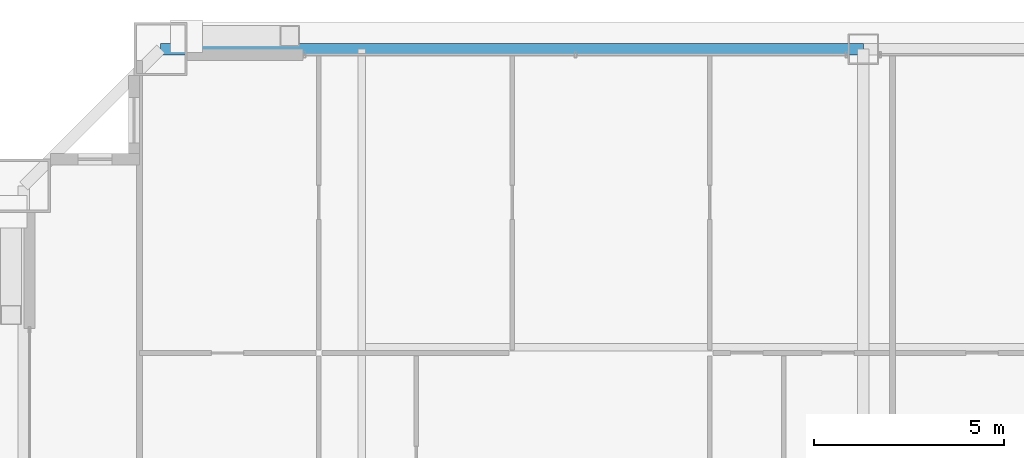
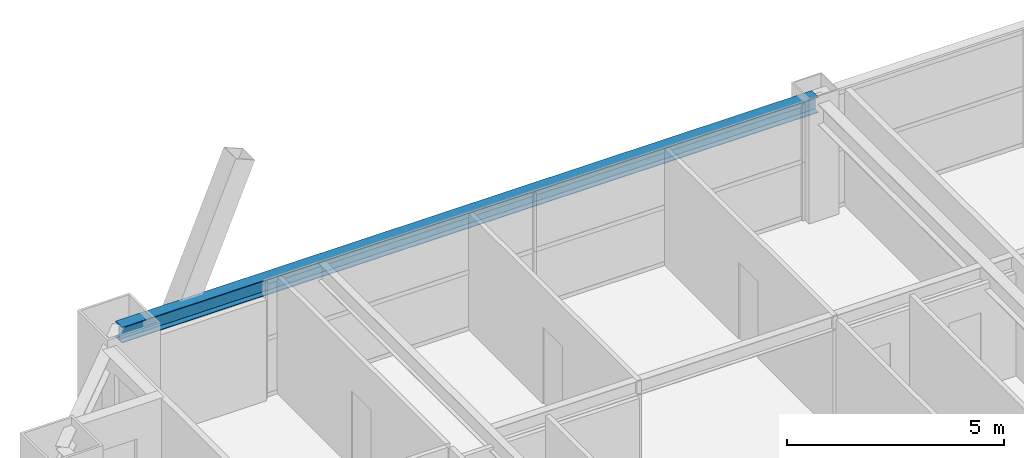
# One storey, part 33 of 45: 1 beam.
"""IFC4 building model written with IfcOpenShell, lengths in metres."""

from ifc_helpers import new_model, si_unit, direction, frame, origin, origin_2d, place, context, subcontext, project, spatial, i_section, extrude, source, transform, mapped, material, material_profile, profile_set, type_object, element, save


model = new_model("IFC4")

# Units and contexts
model_context = context("Model", 3, precision=1e-05, world=origin(), true_north=direction((0.0, 1.0)))
body_context = subcontext(model_context, "Body", "Model", "MODEL_VIEW")
ifc_project = project(units=[si_unit("LENGTHUNIT", "METRE"), si_unit("AREAUNIT", "SQUARE_METRE"), si_unit("VOLUMEUNIT", "CUBIC_METRE"), si_unit("PLANEANGLEUNIT", "RADIAN"), si_unit("MASSUNIT", "GRAM", prefix="KILO"), si_unit("THERMODYNAMICTEMPERATUREUNIT", "KELVIN"), si_unit("POWERUNIT", "WATT")], contexts=[model_context])

# Site, building, storey
site_placement = place(None, origin())
site = spatial("IfcSite", under=ifc_project, at=site_placement, CompositionType="ELEMENT")
building_placement = place(site_placement, origin())
building = spatial("IfcBuilding", under=site, at=building_placement, Name="Yuzanri Waterfront Tower", CompositionType="ELEMENT")
storey_placement = place(building_placement, frame((0.0, 0.0, 198.5)))
storey = spatial("IfcBuildingStorey", under=building, at=storey_placement, Name="L52", CompositionType="ELEMENT", Elevation=198.5)

# Beam
ifc_material = material(Name="Steel Q355B", Category="steel")
ifc_material_profile = material_profile(ifc_material, i_section(OverallWidth=0.300048828125, OverallDepth=0.43994140625, WebThickness=0.010986328125, FlangeThickness=0.01806640625, at=origin_2d()), Name="HM 440x300x11x18")
ifc_profile_set = profile_set([ifc_material_profile], Name="Steel Q355B")
beam_type = type_object("IfcBeamType", Name="Perimeter Spandrel Q355B HM 440x300", PredefinedType="SPANDREL", material=ifc_profile_set)
shared_shape = source(origin(), body_context, "Body", "SweptSolid", [
    extrude(i_section(OverallWidth=0.300048828125, OverallDepth=0.43994140625, WebThickness=0.010986328125, FlangeThickness=0.01806640625, at=origin_2d()), origin(), (0.0, 0.0, 1.0), 18.5),
])
beam_placement = place(storey_placement, frame((37.0, 47.89990234375, 3.06005859375), z_axis=(-1.0, 0.0, 0.0), x_axis=(0.0, -1.0, 0.0)))
element("IfcBeam", 1, at=beam_placement, inside=storey, type_object=beam_type, Name="L52 Perimeter Spandrel N2-N1", PredefinedType="SPANDREL", context=body_context, shape_type="MappedRepresentation", body=[
    mapped(shared_shape, transform((0.0, 0.0, 0.0), scale=1.0)),
])

save(model, "model.ifc")
